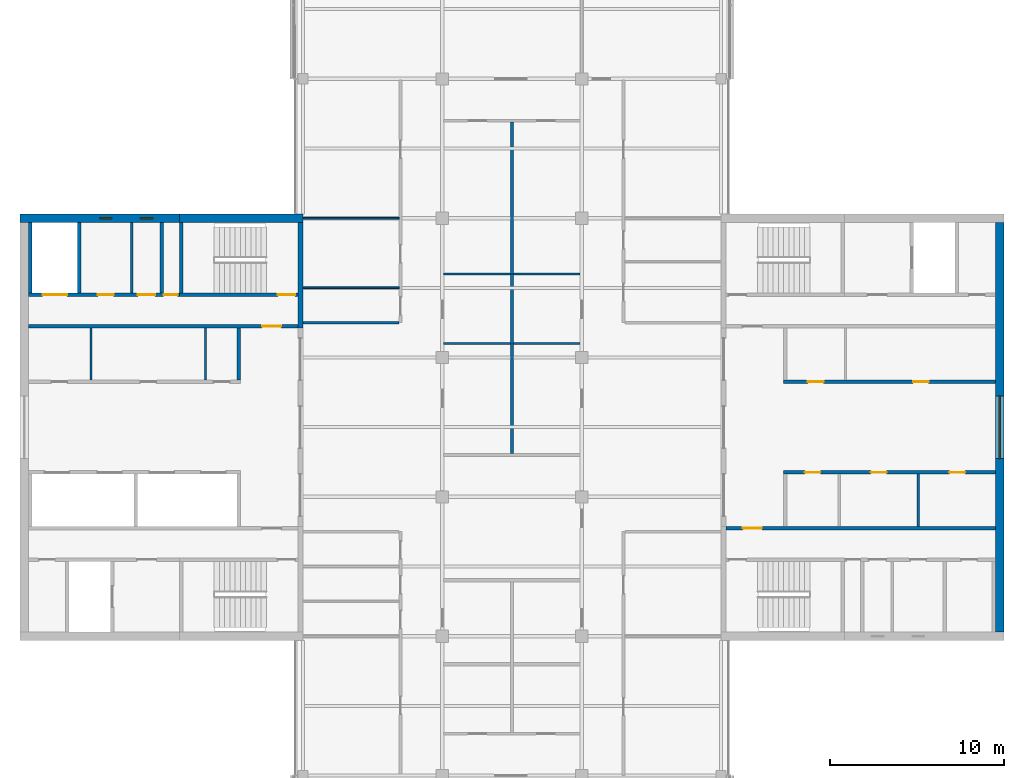
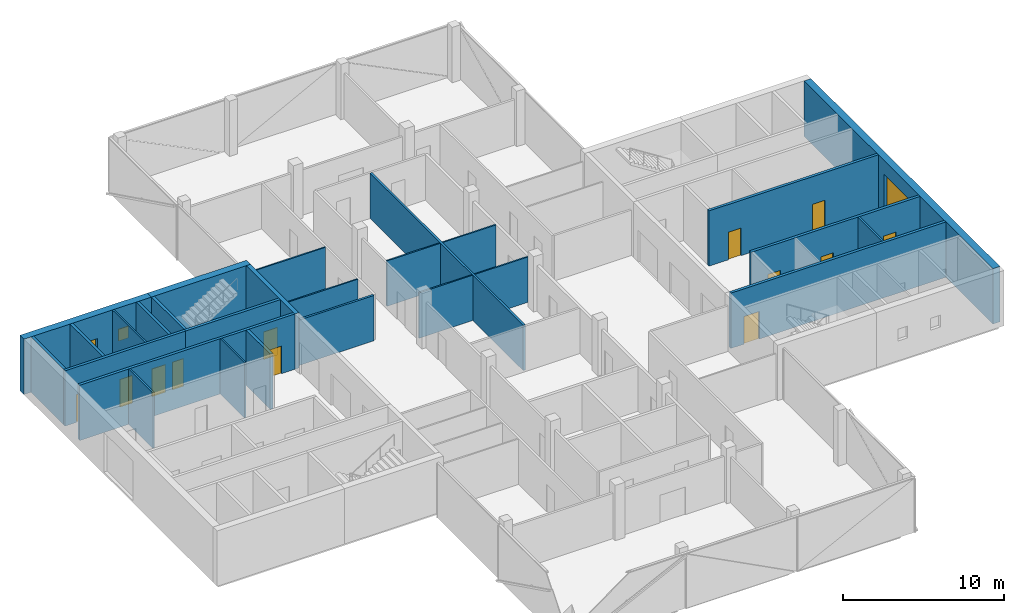
# One storey, part 11 of 16: 27 walls, 12 doors, 3 windows, 15 openings.
"""IFC4 building model written with IfcOpenShell, lengths in metres."""

from ifc_helpers import new_model, si_unit, direction, frame, frame_2d, origin, place, context, subcontext, project, spatial, rectangle, extrude, material, layer, layer_set, constituent, constituent_set, type_object, element, fill, save


model = new_model("IFC4")

# Units and contexts
model_context = context("Model", 3, precision=1e-05, world=origin(), true_north=direction((0.0, 1.0)))
body_context = subcontext(model_context, "Body", "Model", "MODEL_VIEW")
ifc_project = project(units=[si_unit("LENGTHUNIT", "METRE"), si_unit("AREAUNIT", "SQUARE_METRE"), si_unit("VOLUMEUNIT", "CUBIC_METRE"), si_unit("PLANEANGLEUNIT", "RADIAN"), si_unit("MASSUNIT", "GRAM", prefix="KILO")], contexts=[model_context])

# Site, building, storey
site_placement = place(None, origin())
site = spatial("IfcSite", under=ifc_project, at=site_placement, CompositionType="ELEMENT")
building_placement = place(site_placement, origin())
building = spatial("IfcBuilding", under=site, at=building_placement, Name="Crosswind Convention Tower", CompositionType="ELEMENT")
storey_placement = place(building_placement, frame((0.0, 0.0, 278.699951171875)))
storey = spatial("IfcBuildingStorey", under=building, at=storey_placement, Name="L60", CompositionType="ELEMENT", Elevation=278.699951171875)

# Walls
ifc_material_1 = material(Name="Concrete blockwork", Category="masonry")
ifc_layer_1 = layer(ifc_material_1, 0.199951171875)
ifc_layer_set_1 = layer_set([ifc_layer_1], Name="Blockwork partition wall 200")
wall_type_1 = type_object("IfcWallType", Name="Blockwork partition wall 200", PredefinedType="PARTITIONING", material=ifc_layer_set_1)
wall_1_placement = place(storey_placement, frame((104.89990234375, 111.75, 0.0), z_axis=(0.0, 0.0, 1.0), x_axis=(0.0, -1.0, 0.0)))
element("IfcWall", 1, at=wall_1_placement, inside=storey, type_object=wall_type_1, Name="Wall MRSE W L60", PredefinedType="PARTITIONING", context=body_context, shape_type="SweptSolid", body=[
    extrude(rectangle(XDim=4.050048828125, YDim=0.199951171875, at=frame_2d((2.02490234375, 0.0))), origin(), (0.0, 0.0, 1.0), 4.199951171875),
])
ifc_material_2 = material(Name="Concrete C50/60", Category="concrete")
ifc_layer_2 = layer(ifc_material_2, 0.300048828125)
ifc_layer_set_2 = layer_set([ifc_layer_2], Name="Concrete C50/60")
wall_type_2 = type_object("IfcWallType", Name="Concrete inner core wall 300", PredefinedType="SHEAR", material=ifc_layer_set_2)
wall_2_placement = place(storey_placement, frame((112.85009765625, 111.75, 0.0), z_axis=(0.0, 0.0, 1.0), x_axis=(0.0, -1.0, 0.0)))
element("IfcWall", 2, at=wall_2_placement, inside=storey, type_object=wall_type_2, Name="Wall EM W L60", PredefinedType="SHEAR", context=body_context, shape_type="SweptSolid", body=[
    extrude(rectangle(XDim=6.050048828125, YDim=0.300048828125, at=frame_2d((3.02490234375, 0.0))), origin(), (0.0, 0.0, 1.0), 4.199951171875),
])

# Wall, openings, doors
ifc_layer_3 = layer(ifc_material_2, 0.199951171875)
ifc_layer_set_3 = layer_set([ifc_layer_3], Name="Concrete C50/60")
wall_type_3 = type_object("IfcWallType", Name="Concrete shaft and stair wall 200", PredefinedType="SHEAR", material=ifc_layer_set_3)
wall_3_placement = place(storey_placement, frame((140.60009765625, 102.60009765625, 0.0), z_axis=(0.0, 0.0, 1.0), x_axis=(1.0, 0.0, 0.0)))
wall_3 = element("IfcWall", 3, at=wall_3_placement, inside=storey, type_object=wall_type_3, Name="Wall RPFRONT E L60", PredefinedType="SHEAR", context=body_context, shape_type="SweptSolid", body=[
    extrude(rectangle(XDim=12.14990234375, YDim=0.199951171875, at=frame_2d((6.074951171875, 0.0))), origin(), (0.0, 0.0, 1.0), 4.199951171875),
])
opening_1_placement = place(wall_3_placement, frame((1.391845703125, 0.0, 0.0)))
opening_1 = element("IfcOpeningElement", 4, at=opening_1_placement, cuts=wall_3, Name="Opening D106", PredefinedType="OPENING", context=body_context, shape_type="SweptSolid", body=[
    extrude(rectangle(XDim=0.89990234375, YDim=2.10009765625, at=frame_2d((0.449951171875, 1.050048828125))), frame((0.0, 0.10986328125, 0.0), z_axis=(0.0, -1.0, 0.0), x_axis=(1.0, 0.0, 0.0)), (0.0, 0.0, 1.0), 0.219970703125),
])
opening_2_placement = place(wall_3_placement, frame((7.42919921875, 0.0, 0.0)))
opening_2 = element("IfcOpeningElement", 5, at=opening_2_placement, cuts=wall_3, Name="Opening D106", PredefinedType="OPENING", context=body_context, shape_type="SweptSolid", body=[
    extrude(rectangle(XDim=0.89990234375, YDim=2.10009765625, at=frame_2d((0.449951171875, 1.050048828125))), frame((0.0, 0.10986328125, 0.0), z_axis=(0.0, -1.0, 0.0), x_axis=(1.0, 0.0, 0.0)), (0.0, 0.0, 1.0), 0.219970703125),
])
ifc_material_3 = material(Name="Timber door", Category="wood")
door_type_1 = type_object("IfcDoorType", Name="Single leaf door 900x2100", OperationType="NOTDEFINED", PredefinedType="DOOR", material=ifc_material_3)
door_1_placement = place(opening_1_placement, origin())
door_1 = element("IfcDoor", 6, at=door_1_placement, inside=storey, type_object=door_type_1, Name="Door to tenant services room L60", ObjectType="D106", OperationType="SINGLE_SWING_RIGHT", OverallHeight=2.10009765625, OverallWidth=0.89990234375, PredefinedType="DOOR", context=body_context, shape_type="SweptSolid", body=[
    extrude(rectangle(XDim=0.89990234375, YDim=2.10009765625, at=frame_2d((0.449951171875, 1.050048828125))), frame((0.0, 0.02490234375, 0.0), z_axis=(0.0, -1.0, 0.0), x_axis=(1.0, 0.0, 0.0)), (0.0, 0.0, 1.0), 0.050048828125),
])
fill(opening_1, door_1)
door_2_placement = place(opening_2_placement, origin())
door_2 = element("IfcDoor", 7, at=door_2_placement, inside=storey, type_object=door_type_1, Name="Door to copy and print room L60", ObjectType="D106", OperationType="SINGLE_SWING_RIGHT", OverallHeight=2.10009765625, OverallWidth=0.89990234375, PredefinedType="DOOR", context=body_context, shape_type="SweptSolid", body=[
    extrude(rectangle(XDim=0.89990234375, YDim=2.10009765625, at=frame_2d((0.449951171875, 1.050048828125))), frame((0.0, 0.02490234375, 0.0), z_axis=(0.0, -1.0, 0.0), x_axis=(1.0, 0.0, 0.0)), (0.0, 0.0, 1.0), 0.050048828125),
])
fill(opening_2, door_2)

wall_4_placement = place(storey_placement, frame((140.60009765625, 97.39990234375, 0.0), z_axis=(0.0, 0.0, 1.0), x_axis=(1.0, 0.0, 0.0)))
wall_4 = element("IfcWall", 8, at=wall_4_placement, inside=storey, type_object=wall_type_3, Name="Wall RMFRONT E L60", PredefinedType="SHEAR", context=body_context, shape_type="SweptSolid", body=[
    extrude(rectangle(XDim=12.14990234375, YDim=0.199951171875, at=frame_2d((6.074951171875, 0.0))), origin(), (0.0, 0.0, 1.0), 4.199951171875),
])
opening_3_placement = place(wall_4_placement, frame((1.21240234375, 0.0, 0.0)))
opening_3 = element("IfcOpeningElement", 9, at=opening_3_placement, cuts=wall_4, Name="Opening D106", PredefinedType="OPENING", context=body_context, shape_type="SweptSolid", body=[
    extrude(rectangle(XDim=0.89990234375, YDim=2.10009765625, at=frame_2d((0.449951171875, 1.050048828125))), frame((0.0, 0.10986328125, 0.0), z_axis=(0.0, -1.0, 0.0), x_axis=(1.0, 0.0, 0.0)), (0.0, 0.0, 1.0), 0.219970703125),
])
opening_4_placement = place(wall_4_placement, frame((5.008056640625, 0.0, 0.0)))
opening_4 = element("IfcOpeningElement", 10, at=opening_4_placement, cuts=wall_4, Name="Opening D106", PredefinedType="OPENING", context=body_context, shape_type="SweptSolid", body=[
    extrude(rectangle(XDim=0.89990234375, YDim=2.10009765625, at=frame_2d((0.449951171875, 1.050048828125))), frame((0.0, 0.10986328125, 0.0), z_axis=(0.0, -1.0, 0.0), x_axis=(1.0, 0.0, 0.0)), (0.0, 0.0, 1.0), 0.219970703125),
])
opening_5_placement = place(wall_4_placement, frame((9.5205078125, 0.0, 0.0)))
opening_5 = element("IfcOpeningElement", 11, at=opening_5_placement, cuts=wall_4, Name="Opening D106", PredefinedType="OPENING", context=body_context, shape_type="SweptSolid", body=[
    extrude(rectangle(XDim=0.89990234375, YDim=2.10009765625, at=frame_2d((0.449951171875, 1.050048828125))), frame((0.0, 0.10986328125, 0.0), z_axis=(0.0, -1.0, 0.0), x_axis=(1.0, 0.0, 0.0)), (0.0, 0.0, 1.0), 0.219970703125),
])
door_3_placement = place(opening_3_placement, frame((0.89990234375, 0.0, 0.0), z_axis=(0.0, 0.0, 1.0), x_axis=(-1.0, 0.0, 0.0)))
door_3 = element("IfcDoor", 12, at=door_3_placement, inside=storey, type_object=door_type_1, Name="Door to copy and print room L60", ObjectType="D106", OperationType="SINGLE_SWING_LEFT", OverallHeight=2.10009765625, OverallWidth=0.89990234375, PredefinedType="DOOR", context=body_context, shape_type="SweptSolid", body=[
    extrude(rectangle(XDim=0.89990234375, YDim=2.10009765625, at=frame_2d((0.449951171875, 1.050048828125))), frame((0.0, 0.02490234375, 0.0), z_axis=(0.0, -1.0, 0.0), x_axis=(1.0, 0.0, 0.0)), (0.0, 0.0, 1.0), 0.050048828125),
])
fill(opening_3, door_3)
door_4_placement = place(opening_4_placement, frame((0.89990234375, 0.0, 0.0), z_axis=(0.0, 0.0, 1.0), x_axis=(-1.0, 0.0, 0.0)))
door_4 = element("IfcDoor", 13, at=door_4_placement, inside=storey, type_object=door_type_1, Name="Door to meeting room L60", ObjectType="D106", OperationType="SINGLE_SWING_LEFT", OverallHeight=2.10009765625, OverallWidth=0.89990234375, PredefinedType="DOOR", context=body_context, shape_type="SweptSolid", body=[
    extrude(rectangle(XDim=0.89990234375, YDim=2.10009765625, at=frame_2d((0.449951171875, 1.050048828125))), frame((0.0, 0.02490234375, 0.0), z_axis=(0.0, -1.0, 0.0), x_axis=(1.0, 0.0, 0.0)), (0.0, 0.0, 1.0), 0.050048828125),
])
fill(opening_4, door_4)
door_5_placement = place(opening_5_placement, frame((0.89990234375, 0.0, 0.0), z_axis=(0.0, 0.0, 1.0), x_axis=(-1.0, 0.0, 0.0)))
door_5 = element("IfcDoor", 14, at=door_5_placement, inside=storey, type_object=door_type_1, Name="Door to pantry L60", ObjectType="D106", OperationType="SINGLE_SWING_LEFT", OverallHeight=2.10009765625, OverallWidth=0.89990234375, PredefinedType="DOOR", context=body_context, shape_type="SweptSolid", body=[
    extrude(rectangle(XDim=0.89990234375, YDim=2.10009765625, at=frame_2d((0.449951171875, 1.050048828125))), frame((0.0, 0.02490234375, 0.0), z_axis=(0.0, -1.0, 0.0), x_axis=(1.0, 0.0, 0.0)), (0.0, 0.0, 1.0), 0.050048828125),
])
fill(opening_5, door_5)

# Wall, opening, door
wall_5_placement = place(storey_placement, frame((137.300048828125, 94.199951171875, 0.0), z_axis=(0.0, 0.0, 1.0), x_axis=(1.0, 0.0, 0.0)))
wall_5 = element("IfcWall", 15, at=wall_5_placement, inside=storey, type_object=wall_type_3, Name="Wall HM E L60", PredefinedType="SHEAR", context=body_context, shape_type="SweptSolid", body=[
    extrude(rectangle(XDim=15.449951171875, YDim=0.199951171875, at=frame_2d((7.72509765625, 0.0))), origin(), (0.0, 0.0, 1.0), 4.199951171875),
])
opening_6_placement = place(wall_5_placement, frame((0.949951171875, 0.0, 0.0)))
opening_6 = element("IfcOpeningElement", 16, at=opening_6_placement, cuts=wall_5, Name="Opening D104", PredefinedType="OPENING", context=body_context, shape_type="SweptSolid", body=[
    extrude(rectangle(XDim=1.10009765625, YDim=2.10009765625, at=frame_2d((0.550048828125, 1.050048828125))), frame((0.0, 0.10986328125, 0.0), z_axis=(0.0, -1.0, 0.0), x_axis=(1.0, 0.0, 0.0)), (0.0, 0.0, 1.0), 0.219970703125),
])
ifc_material_4 = material(Name="Steel fire door", Category="steel")
door_type_2 = type_object("IfcDoorType", Name="Fire-rated single door 1100x2100", OperationType="NOTDEFINED", PredefinedType="DOOR", material=ifc_material_4)
door_6_placement = place(opening_6_placement, origin())
door_6 = element("IfcDoor", 17, at=door_6_placement, inside=storey, type_object=door_type_2, Name="Corridor door L60", ObjectType="D104", OperationType="SINGLE_SWING_LEFT", OverallHeight=2.10009765625, OverallWidth=1.10009765625, PredefinedType="DOOR", context=body_context, shape_type="SweptSolid", body=[
    extrude(rectangle(XDim=1.10009765625, YDim=2.10009765625, at=frame_2d((0.550048828125, 1.050048828125))), frame((0.0, 0.02490234375, 0.0), z_axis=(0.0, -1.0, 0.0), x_axis=(1.0, 0.0, 0.0)), (0.0, 0.0, 1.0), 0.050048828125),
])
fill(opening_6, door_6)

# Wall
wall_6_placement = place(storey_placement, frame((109.300048828125, 105.699951171875, 0.0), z_axis=(0.0, 0.0, 1.0), x_axis=(0.0, -1.0, 0.0)))
element("IfcWall", 18, at=wall_6_placement, inside=storey, type_object=wall_type_3, Name="Wall RMEND W L60", PredefinedType="SHEAR", context=body_context, shape_type="SweptSolid", body=[
    extrude(rectangle(XDim=3.0, YDim=0.199951171875, at=frame_2d((1.5, 0.0))), origin(), (0.0, 0.0, 1.0), 4.199951171875),
])

# Wall, opening, door
wall_7_placement = place(storey_placement, frame((112.699951171875, 105.800048828125, 0.0), z_axis=(0.0, 0.0, 1.0), x_axis=(-1.0, 0.0, 0.0)))
wall_7 = element("IfcWall", 19, at=wall_7_placement, inside=storey, type_object=wall_type_3, Name="Wall HM W L60", PredefinedType="SHEAR", context=body_context, shape_type="SweptSolid", body=[
    extrude(rectangle(XDim=15.449951171875, YDim=0.199951171875, at=frame_2d((7.72509765625, 0.0))), origin(), (0.0, 0.0, 1.0), 4.199951171875),
])
opening_7_placement = place(wall_7_placement, frame((0.949951171875, 0.0, 0.0)))
opening_7 = element("IfcOpeningElement", 20, at=opening_7_placement, cuts=wall_7, Name="Opening D104", PredefinedType="OPENING", context=body_context, shape_type="SweptSolid", body=[
    extrude(rectangle(XDim=1.10009765625, YDim=2.10009765625, at=frame_2d((0.550048828125, 1.050048828125))), frame((0.0, 0.10986328125, 0.0), z_axis=(0.0, -1.0, 0.0), x_axis=(1.0, 0.0, 0.0)), (0.0, 0.0, 1.0), 0.219970703125),
])
door_7_placement = place(opening_7_placement, origin())
door_7 = element("IfcDoor", 21, at=door_7_placement, inside=storey, type_object=door_type_2, Name="Corridor door L60", ObjectType="D104", OperationType="SINGLE_SWING_LEFT", OverallHeight=2.10009765625, OverallWidth=1.10009765625, PredefinedType="DOOR", context=body_context, shape_type="SweptSolid", body=[
    extrude(rectangle(XDim=1.10009765625, YDim=2.10009765625, at=frame_2d((0.550048828125, 1.050048828125))), frame((0.0, 0.02490234375, 0.0), z_axis=(0.0, -1.0, 0.0), x_axis=(1.0, 0.0, 0.0)), (0.0, 0.0, 1.0), 0.050048828125),
])
fill(opening_7, door_7)

# Walls
for number, where, z_axis, x_axis, name in (
    (22, (106.0, 111.75, 0.0), (0.0, 0.0, 1.0), (0.0, -1.0, 0.0), "Wall MSE W L60"),
    (23, (100.14990234375, 111.75, 0.0), (0.0, 0.0, 1.0), (0.0, -1.0, 0.0), "Wall MFSW W L60"),
    (24, (97.35009765625, 111.75, 0.0), (0.0, 0.0, 1.0), (0.0, -1.0, 0.0), "Wall MFSE W L60"),
):
    element("IfcWall", number, at=place(storey_placement, frame(where, z_axis=z_axis, x_axis=x_axis)), inside=storey, type_object=wall_type_3, Name=name, PredefinedType="SHEAR", context=body_context, shape_type="SweptSolid", body=[
        extrude(rectangle(XDim=4.050048828125, YDim=0.199951171875, at=frame_2d((2.02490234375, 0.0))), origin(), (0.0, 0.0, 1.0), 4.199951171875),
    ])

# Wall, opening, door
wall_8_placement = place(storey_placement, frame((112.699951171875, 107.60009765625, 0.0), z_axis=(0.0, 0.0, 1.0), x_axis=(-1.0, 0.0, 0.0)))
wall_8 = element("IfcWall", 25, at=wall_8_placement, inside=storey, type_object=wall_type_3, Name="Wall MCW W L60", PredefinedType="SHEAR", context=body_context, shape_type="SweptSolid", body=[
    extrude(rectangle(XDim=6.800048828125, YDim=0.199951171875, at=frame_2d((3.39990234375, 0.0))), origin(), (0.0, 0.0, 1.0), 4.199951171875),
])
opening_8_placement = place(wall_8_placement, frame((0.14990234375, 0.0, 0.0)))
opening_8 = element("IfcOpeningElement", 26, at=opening_8_placement, cuts=wall_8, Name="Opening D103", PredefinedType="OPENING", context=body_context, shape_type="SweptSolid", body=[
    extrude(rectangle(XDim=1.0, YDim=2.10009765625, at=frame_2d((0.5, 1.050048828125))), frame((0.0, 0.10986328125, 0.0), z_axis=(0.0, -1.0, 0.0), x_axis=(1.0, 0.0, 0.0)), (0.0, 0.0, 1.0), 0.219970703125),
])
door_type_3 = type_object("IfcDoorType", Name="Fire-rated single door 1000x2100", OperationType="NOTDEFINED", PredefinedType="DOOR", material=ifc_material_4)
door_8_placement = place(opening_8_placement, frame((1.0, 0.0, 0.0), z_axis=(0.0, 0.0, 1.0), x_axis=(-1.0, 0.0, 0.0)))
door_8 = element("IfcDoor", 27, at=door_8_placement, inside=storey, type_object=door_type_3, Name="Stair ST4 door L60", ObjectType="D103", OperationType="SINGLE_SWING_RIGHT", OverallHeight=2.10009765625, OverallWidth=1.0, PredefinedType="DOOR", context=body_context, shape_type="SweptSolid", body=[
    extrude(rectangle(XDim=1.0, YDim=2.10009765625, at=frame_2d((0.5, 1.050048828125))), frame((0.0, 0.02490234375, 0.0), z_axis=(0.0, -1.0, 0.0), x_axis=(1.0, 0.0, 0.0)), (0.0, 0.0, 1.0), 0.050048828125),
])
fill(opening_8, door_8)

# Wall, openings, doors
wall_9_placement = place(storey_placement, frame((105.89990234375, 107.60009765625, 0.0), z_axis=(0.0, 0.0, 1.0), x_axis=(-1.0, 0.0, 0.0)))
wall_9 = element("IfcWall", 28, at=wall_9_placement, inside=storey, type_object=wall_type_3, Name="Wall MCX W L60", PredefinedType="SHEAR", context=body_context, shape_type="SweptSolid", body=[
    extrude(rectangle(XDim=8.64990234375, YDim=0.199951171875, at=frame_2d((4.324951171875, 0.0))), origin(), (0.0, 0.0, 1.0), 4.199951171875),
])
opening_9_placement = place(wall_9_placement, frame((0.10009765625, 0.0, 0.0)))
opening_9 = element("IfcOpeningElement", 29, at=opening_9_placement, cuts=wall_9, Name="Opening D105", PredefinedType="OPENING", context=body_context, shape_type="SweptSolid", body=[
    extrude(rectangle(XDim=0.800048828125, YDim=2.10009765625, at=frame_2d((0.39990234375, 1.050048828125))), frame((0.0, 0.10986328125, 0.0), z_axis=(0.0, -1.0, 0.0), x_axis=(1.0, 0.0, 0.0)), (0.0, 0.0, 1.0), 0.219970703125),
])
opening_10_placement = place(wall_9_placement, frame((1.3876953125, 0.0, 0.0)))
opening_10 = element("IfcOpeningElement", 30, at=opening_10_placement, cuts=wall_9, Name="Opening D103", PredefinedType="OPENING", context=body_context, shape_type="SweptSolid", body=[
    extrude(rectangle(XDim=1.0, YDim=2.10009765625, at=frame_2d((0.5, 1.050048828125))), frame((0.0, 0.10986328125, 0.0), z_axis=(0.0, -1.0, 0.0), x_axis=(1.0, 0.0, 0.0)), (0.0, 0.0, 1.0), 0.219970703125),
])
opening_11_placement = place(wall_9_placement, frame((3.775146484375, 0.0, 0.0)))
opening_11 = element("IfcOpeningElement", 31, at=opening_11_placement, cuts=wall_9, Name="Opening D106", PredefinedType="OPENING", context=body_context, shape_type="SweptSolid", body=[
    extrude(rectangle(XDim=0.89990234375, YDim=2.10009765625, at=frame_2d((0.449951171875, 1.050048828125))), frame((0.0, 0.10986328125, 0.0), z_axis=(0.0, -1.0, 0.0), x_axis=(1.0, 0.0, 0.0)), (0.0, 0.0, 1.0), 0.219970703125),
])
opening_12_placement = place(wall_9_placement, frame((6.449951171875, 0.0, 0.0)))
opening_12 = element("IfcOpeningElement", 32, at=opening_12_placement, cuts=wall_9, Name="Opening LD2", PredefinedType="OPENING", context=body_context, shape_type="SweptSolid", body=[
    extrude(rectangle(XDim=1.39990234375, YDim=2.10009765625, at=frame_2d((0.699951171875, 1.050048828125))), frame((0.0, 0.10986328125, 0.0), z_axis=(0.0, -1.0, 0.0), x_axis=(1.0, 0.0, 0.0)), (0.0, 0.0, 1.0), 0.219970703125),
])
door_9_placement = place(opening_10_placement, frame((1.0, 0.0, 0.0), z_axis=(0.0, 0.0, 1.0), x_axis=(-1.0, 0.0, 0.0)))
door_9 = element("IfcDoor", 33, at=door_9_placement, inside=storey, type_object=door_type_3, Name="Door to accessible wc L60", ObjectType="D103", OperationType="SINGLE_SWING_LEFT", OverallHeight=2.10009765625, OverallWidth=1.0, PredefinedType="DOOR", context=body_context, shape_type="SweptSolid", body=[
    extrude(rectangle(XDim=1.0, YDim=2.10009765625, at=frame_2d((0.5, 1.050048828125))), frame((0.0, 0.02490234375, 0.0), z_axis=(0.0, -1.0, 0.0), x_axis=(1.0, 0.0, 0.0)), (0.0, 0.0, 1.0), 0.050048828125),
])
fill(opening_10, door_9)
ifc_material_5 = material(Name="Stainless steel", Category="steel")
door_type_4 = type_object("IfcDoorType", Name="Lift landing door 1400x2100", OperationType="DOUBLE_DOOR_SLIDING", PredefinedType="DOOR", material=ifc_material_5)
door_10_placement = place(opening_12_placement, origin())
door_10 = element("IfcDoor", 34, at=door_10_placement, inside=storey, type_object=door_type_4, Name="Landing door SV2 L60", ObjectType="LD2", OperationType="DOUBLE_DOOR_SLIDING", OverallHeight=2.10009765625, OverallWidth=1.39990234375, PredefinedType="DOOR", context=body_context, shape_type="SweptSolid", body=[
    extrude(rectangle(XDim=1.39990234375, YDim=2.10009765625, at=frame_2d((0.699951171875, 1.050048828125))), frame((0.0, 0.02490234375, 0.0), z_axis=(0.0, -1.0, 0.0), x_axis=(1.0, 0.0, 0.0)), (0.0, 0.0, 1.0), 0.050048828125),
])
fill(opening_12, door_10)
door_type_5 = type_object("IfcDoorType", Name="Riser access door 800x2100", OperationType="NOTDEFINED", PredefinedType="DOOR", material=ifc_material_4)
door_11_placement = place(opening_9_placement, frame((0.800048828125, 0.0, 0.0), z_axis=(0.0, 0.0, 1.0), x_axis=(-1.0, 0.0, 0.0)))
door_11 = element("IfcDoor", 35, at=door_11_placement, inside=storey, type_object=door_type_5, Name="Riser door L60", ObjectType="D105", OperationType="SINGLE_SWING_LEFT", OverallHeight=2.10009765625, OverallWidth=0.800048828125, PredefinedType="DOOR", context=body_context, shape_type="SweptSolid", body=[
    extrude(rectangle(XDim=0.800048828125, YDim=2.10009765625, at=frame_2d((0.39990234375, 1.050048828125))), frame((0.0, 0.02490234375, 0.0), z_axis=(0.0, -1.0, 0.0), x_axis=(1.0, 0.0, 0.0)), (0.0, 0.0, 1.0), 0.050048828125),
])
fill(opening_9, door_11)
door_12_placement = place(opening_11_placement, frame((0.89990234375, 0.0, 0.0), z_axis=(0.0, 0.0, 1.0), x_axis=(-1.0, 0.0, 0.0)))
door_12 = element("IfcDoor", 36, at=door_12_placement, inside=storey, type_object=door_type_1, Name="Door to wc L60", ObjectType="D106", OperationType="SINGLE_SWING_LEFT", OverallHeight=2.10009765625, OverallWidth=0.89990234375, PredefinedType="DOOR", context=body_context, shape_type="SweptSolid", body=[
    extrude(rectangle(XDim=0.89990234375, YDim=2.10009765625, at=frame_2d((0.449951171875, 1.050048828125))), frame((0.0, 0.02490234375, 0.0), z_axis=(0.0, -1.0, 0.0), x_axis=(1.0, 0.0, 0.0)), (0.0, 0.0, 1.0), 0.050048828125),
])
fill(opening_11, door_12)

# Walls
ifc_material_6 = material(Name="Gypsum plasterboard partition", Category="gypsum")
ifc_layer_4 = layer(ifc_material_6, 0.125)
ifc_layer_set_4 = layer_set([ifc_layer_4], Name="Drywall partition wall 125")
wall_type_4 = type_object("IfcWallType", Name="Drywall partition wall 125", PredefinedType="PARTITIONING", material=ifc_layer_set_4)
for number, where, z_axis, x_axis, name in (
    (37, (148.32861328125, 94.300048828125, 0.0), (0.0, 0.0, 1.0), (0.0, 1.0, 0.0), "Wall RMP2 E L60"),
    (38, (107.407470703125, 105.699951171875, 0.0), (0.0, 0.0, 1.0), (0.0, -1.0, 0.0), "Wall RMP1 W L60"),
    (39, (100.8349609375, 105.699951171875, 0.0), (0.0, 0.0, 1.0), (0.0, -1.0, 0.0), "Wall RMP2 W L60"),
):
    element("IfcWall", number, at=place(storey_placement, frame(where, z_axis=z_axis, x_axis=x_axis)), inside=storey, type_object=wall_type_4, Name=name, PredefinedType="PARTITIONING", context=body_context, shape_type="SweptSolid", body=[
        extrude(rectangle(XDim=3.0, YDim=0.125, at=frame_2d((1.5, 0.0))), origin(), (0.0, 0.0, 1.0), 4.199951171875),
    ])
wall_10_placement = place(storey_placement, frame((103.162109375, 111.75, 0.0), z_axis=(0.0, 0.0, 1.0), x_axis=(0.0, -1.0, 0.0)))
element("IfcWall", 40, at=wall_10_placement, inside=storey, type_object=wall_type_4, Name="Wall MWP1 W L60", PredefinedType="PARTITIONING", context=body_context, shape_type="SweptSolid", body=[
    extrude(rectangle(XDim=4.050048828125, YDim=0.125, at=frame_2d((2.02490234375, 0.0))), origin(), (0.0, 0.0, 1.0), 4.199951171875),
])
ifc_material_7 = material(Name="Plasterboard partition", Category="gypsum")
ifc_layer_5 = layer(ifc_material_7, 0.10009765625)
ifc_layer_set_5 = layer_set([ifc_layer_5], Name="PARTITION 100 METAL STUD")
wall_type_5 = type_object("IfcWallType", Name="PARTITION 100 METAL STUD", PredefinedType="PARTITIONING", material=ifc_layer_set_5)
for number, where, z_axis, x_axis, name in (
    (41, (113.0, 108.0, 0.0), (0.0, 0.0, 1.0), (1.0, 0.0, 0.0), "Partition wall WT40"),
    (42, (113.0, 112.0, 0.0), (0.0, 0.0, 1.0), (1.0, 0.0, 0.0), "Partition wall WT40"),
):
    element("IfcWall", number, at=place(storey_placement, frame(where, z_axis=z_axis, x_axis=x_axis)), inside=storey, type_object=wall_type_5, Name=name, PredefinedType="PARTITIONING", context=body_context, shape_type="SweptSolid", body=[
        extrude(rectangle(XDim=5.52490234375, YDim=0.10009765625, at=frame_2d((2.762451171875, 0.0))), origin(), (0.0, 0.0, 1.0), 3.44287109375),
    ])
wall_11_placement = place(storey_placement, frame((121.074951171875, 104.800048828125, 0.0), z_axis=(0.0, 0.0, 1.0), x_axis=(1.0, 0.0, 0.0)))
element("IfcWall", 43, at=wall_11_placement, inside=storey, type_object=wall_type_5, Name="Partition wall WT40", PredefinedType="PARTITIONING", context=body_context, shape_type="SweptSolid", body=[
    extrude(rectangle(XDim=3.85009765625, YDim=0.10009765625, at=frame_2d((1.925048828125, 0.0))), origin(), (0.0, 0.0, 1.0), 3.44287109375),
])
wall_12_placement = place(storey_placement, frame((125.074951171875, 104.800048828125, 0.0), z_axis=(0.0, 0.0, 1.0), x_axis=(1.0, 0.0, 0.0)))
element("IfcWall", 44, at=wall_12_placement, inside=storey, type_object=wall_type_5, Name="Partition wall WT40", PredefinedType="PARTITIONING", context=body_context, shape_type="SweptSolid", body=[
    extrude(rectangle(XDim=3.824951171875, YDim=0.10009765625, at=frame_2d((1.91259765625, 0.0))), origin(), (0.0, 0.0, 1.0), 3.44287109375),
])
wall_13_placement = place(storey_placement, frame((121.074951171875, 108.800048828125, 0.0), z_axis=(0.0, 0.0, 1.0), x_axis=(1.0, 0.0, 0.0)))
element("IfcWall", 45, at=wall_13_placement, inside=storey, type_object=wall_type_5, Name="Partition wall WT40", PredefinedType="PARTITIONING", context=body_context, shape_type="SweptSolid", body=[
    extrude(rectangle(XDim=3.85009765625, YDim=0.10009765625, at=frame_2d((1.925048828125, 0.0))), origin(), (0.0, 0.0, 1.0), 3.44287109375),
])
wall_14_placement = place(storey_placement, frame((125.074951171875, 108.800048828125, 0.0), z_axis=(0.0, 0.0, 1.0), x_axis=(1.0, 0.0, 0.0)))
element("IfcWall", 46, at=wall_14_placement, inside=storey, type_object=wall_type_5, Name="Partition wall WT40", PredefinedType="PARTITIONING", context=body_context, shape_type="SweptSolid", body=[
    extrude(rectangle(XDim=3.824951171875, YDim=0.10009765625, at=frame_2d((1.91259765625, 0.0))), origin(), (0.0, 0.0, 1.0), 3.44287109375),
])
ifc_material_8 = material(Name="Fire-board partition with mineral wool", Category="gypsum")
ifc_layer_6 = layer(ifc_material_8, 0.14990234375)
ifc_layer_set_6 = layer_set([ifc_layer_6], Name="TENANCY WALL 150 TWO-HOUR BOARD")
wall_type_6 = type_object("IfcWallType", Name="TENANCY WALL 150 TWO-HOUR BOARD", PredefinedType="PARTITIONING", material=ifc_layer_set_6)
wall_15_placement = place(storey_placement, frame((125.0, 98.47509765625, 0.0), z_axis=(0.0, 0.0, 1.0), x_axis=(0.0, 1.0, 0.0)))
element("IfcWall", 47, at=wall_15_placement, inside=storey, type_object=wall_type_6, Name="Tenancy wall WT41", PredefinedType="PARTITIONING", context=body_context, shape_type="SweptSolid", body=[
    extrude(rectangle(XDim=19.0498046875, YDim=0.14990234375, at=frame_2d((9.52490234375, 0.0))), origin(), (0.0, 0.0, 1.0), 3.44287109375),
])
wall_16_placement = place(storey_placement, frame((113.0, 106.0, 0.0), z_axis=(0.0, 0.0, 1.0), x_axis=(1.0, 0.0, 0.0)))
element("IfcWall", 48, at=wall_16_placement, inside=storey, type_object=wall_type_6, Name="Tenancy wall WT41", PredefinedType="PARTITIONING", context=body_context, shape_type="SweptSolid", body=[
    extrude(rectangle(XDim=5.52490234375, YDim=0.14990234375, at=frame_2d((2.762451171875, 0.0))), origin(), (0.0, 0.0, 1.0), 3.44287109375),
])

# Wall, opening, window
ifc_material_9 = material(Name="Concrete C60/75", Category="concrete")
ifc_constituent_1 = constituent(ifc_material_9, Name="Structure")
ifc_material_10 = material(Name="Terracotta rainscreen", Category="ceramic")
ifc_constituent_2 = constituent(ifc_material_10, Name="Facing")
ifc_constituent_set = constituent_set(constituents=[ifc_constituent_1, ifc_constituent_2], Name="Concrete C60/75, Terracotta rainscreen")
wall_type_7 = type_object("IfcWallType", Name="Terracotta rainscreen on concrete core wall 500", PredefinedType="SHEAR", material=ifc_constituent_set)
wall_17_placement = place(storey_placement, frame((153.0, 88.25, 0.0), z_axis=(0.0, 0.0, 1.0), x_axis=(0.0, 1.0, 0.0)))
wall_17 = element("IfcWall", 49, at=wall_17_placement, inside=storey, type_object=wall_type_7, Name="Wall O E L60", PredefinedType="SHEAR", context=body_context, shape_type="SweptSolid", body=[
    extrude(rectangle(XDim=23.5, YDim=0.5, at=frame_2d((11.75, 0.0))), origin(), (0.0, 0.0, 1.0), 4.199951171875),
])
opening_13_placement = place(wall_17_placement, frame((9.949951171875, 0.0, 0.14990234375)))
opening_13 = element("IfcOpeningElement", 50, at=opening_13_placement, cuts=wall_17, Name="Opening W1", PredefinedType="OPENING", context=body_context, shape_type="SweptSolid", body=[
    extrude(rectangle(XDim=3.60009765625, YDim=3.0, at=frame_2d((1.800048828125, 1.5))), frame((0.0, 0.260009765625, 0.0), z_axis=(0.0, -1.0, 0.0), x_axis=(1.0, 0.0, 0.0)), (0.0, 0.0, 1.0), 0.52001953125),
])
ifc_material_11 = material(Name="Clear laminated glass in aluminium frame", Category="aluminium")
window_type_1 = type_object("IfcWindowType", Name="Lobby end window 3600x3000", PartitioningType="SINGLE_PANEL", PredefinedType="WINDOW", material=ifc_material_11)
window_1_placement = place(opening_13_placement, origin())
window_1 = element("IfcWindow", 51, at=window_1_placement, inside=storey, type_object=window_type_1, Name="Lobby end window L60", ObjectType="W1", OverallHeight=3.0, OverallWidth=3.60009765625, PartitioningType="SINGLE_PANEL", PredefinedType="WINDOW", context=body_context, shape_type="SweptSolid", body=[
    extrude(rectangle(XDim=3.60009765625, YDim=3.0, at=frame_2d((1.800048828125, 1.5))), frame((0.0, 0.030029296875, 0.0), z_axis=(0.0, -1.0, 0.0), x_axis=(1.0, 0.0, 0.0)), (0.0, 0.0, 1.0), 0.06005859375),
])
fill(opening_13, window_1)

# Wall
wall_18_placement = place(storey_placement, frame((113.0, 112.0, 0.0), z_axis=(0.0, 0.0, 1.0), x_axis=(-1.0, 0.0, 0.0)))
element("IfcWall", 52, at=wall_18_placement, inside=storey, type_object=wall_type_7, Name="Wall S1 W L60", PredefinedType="SHEAR", context=body_context, shape_type="SweptSolid", body=[
    extrude(rectangle(XDim=7.10009765625, YDim=0.5, at=frame_2d((3.550048828125, 0.0))), origin(), (0.0, 0.0, 1.0), 4.199951171875),
])

# Wall, openings, windows
wall_19_placement = place(storey_placement, frame((105.89990234375, 112.0, 0.0), z_axis=(0.0, 0.0, 1.0), x_axis=(-1.0, 0.0, 0.0)))
wall_19 = element("IfcWall", 53, at=wall_19_placement, inside=storey, type_object=wall_type_7, Name="Wall S2 W L60", PredefinedType="SHEAR", context=body_context, shape_type="SweptSolid", body=[
    extrude(rectangle(XDim=9.14990234375, YDim=0.5, at=frame_2d((4.574951171875, 0.0))), origin(), (0.0, 0.0, 1.0), 4.199951171875),
])
opening_14_placement = place(wall_19_placement, frame((1.537841796875, 0.0, 1.5)))
opening_14 = element("IfcOpeningElement", 54, at=opening_14_placement, cuts=wall_19, Name="Opening W2", PredefinedType="OPENING", context=body_context, shape_type="SweptSolid", body=[
    extrude(rectangle(XDim=0.699951171875, YDim=0.89990234375, at=frame_2d((0.35009765625, 0.449951171875))), frame((0.0, 0.260009765625, 0.0), z_axis=(0.0, -1.0, 0.0), x_axis=(1.0, 0.0, 0.0)), (0.0, 0.0, 1.0), 0.52001953125),
])
opening_15_placement = place(wall_19_placement, frame((3.875244140625, 0.0, 1.5)))
opening_15 = element("IfcOpeningElement", 55, at=opening_15_placement, cuts=wall_19, Name="Opening W2", PredefinedType="OPENING", context=body_context, shape_type="SweptSolid", body=[
    extrude(rectangle(XDim=0.699951171875, YDim=0.89990234375, at=frame_2d((0.35009765625, 0.449951171875))), frame((0.0, 0.260009765625, 0.0), z_axis=(0.0, -1.0, 0.0), x_axis=(1.0, 0.0, 0.0)), (0.0, 0.0, 1.0), 0.52001953125),
])
ifc_material_12 = material(Name="Obscure glass in aluminium frame", Category="aluminium")
window_type_2 = type_object("IfcWindowType", Name="WC window 700x900", PartitioningType="SINGLE_PANEL", PredefinedType="WINDOW", material=ifc_material_12)
window_2_placement = place(opening_14_placement, origin())
window_2 = element("IfcWindow", 56, at=window_2_placement, inside=storey, type_object=window_type_2, Name="WC window L60", ObjectType="W2", OverallHeight=0.89990234375, OverallWidth=0.699951171875, PartitioningType="SINGLE_PANEL", PredefinedType="WINDOW", context=body_context, shape_type="SweptSolid", body=[
    extrude(rectangle(XDim=0.699951171875, YDim=0.89990234375, at=frame_2d((0.35009765625, 0.449951171875))), frame((0.0, 0.030029296875, 0.0), z_axis=(0.0, -1.0, 0.0), x_axis=(1.0, 0.0, 0.0)), (0.0, 0.0, 1.0), 0.06005859375),
])
fill(opening_14, window_2)
window_3_placement = place(opening_15_placement, origin())
window_3 = element("IfcWindow", 57, at=window_3_placement, inside=storey, type_object=window_type_2, Name="WC window L60", ObjectType="W2", OverallHeight=0.89990234375, OverallWidth=0.699951171875, PartitioningType="SINGLE_PANEL", PredefinedType="WINDOW", context=body_context, shape_type="SweptSolid", body=[
    extrude(rectangle(XDim=0.699951171875, YDim=0.89990234375, at=frame_2d((0.35009765625, 0.449951171875))), frame((0.0, 0.030029296875, 0.0), z_axis=(0.0, -1.0, 0.0), x_axis=(1.0, 0.0, 0.0)), (0.0, 0.0, 1.0), 0.06005859375),
])
fill(opening_15, window_3)

save(model, "model.ifc")
